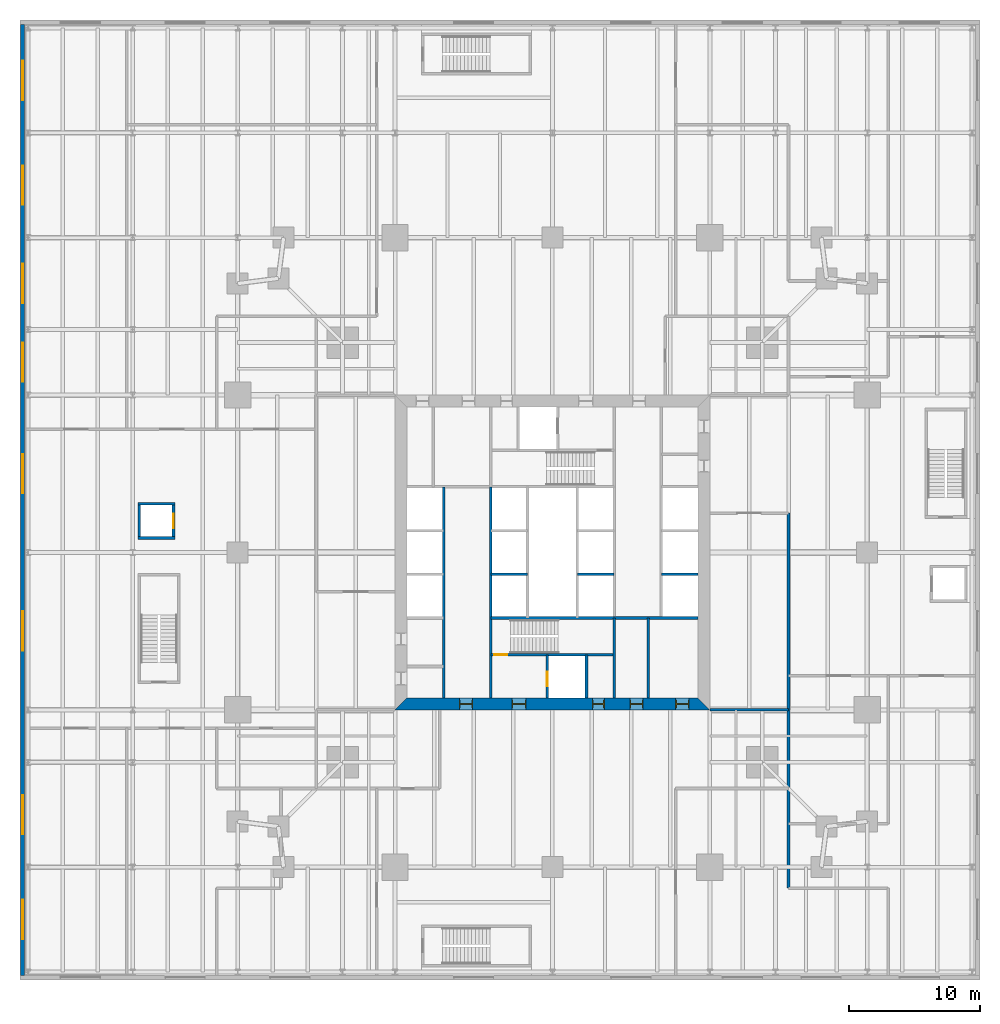
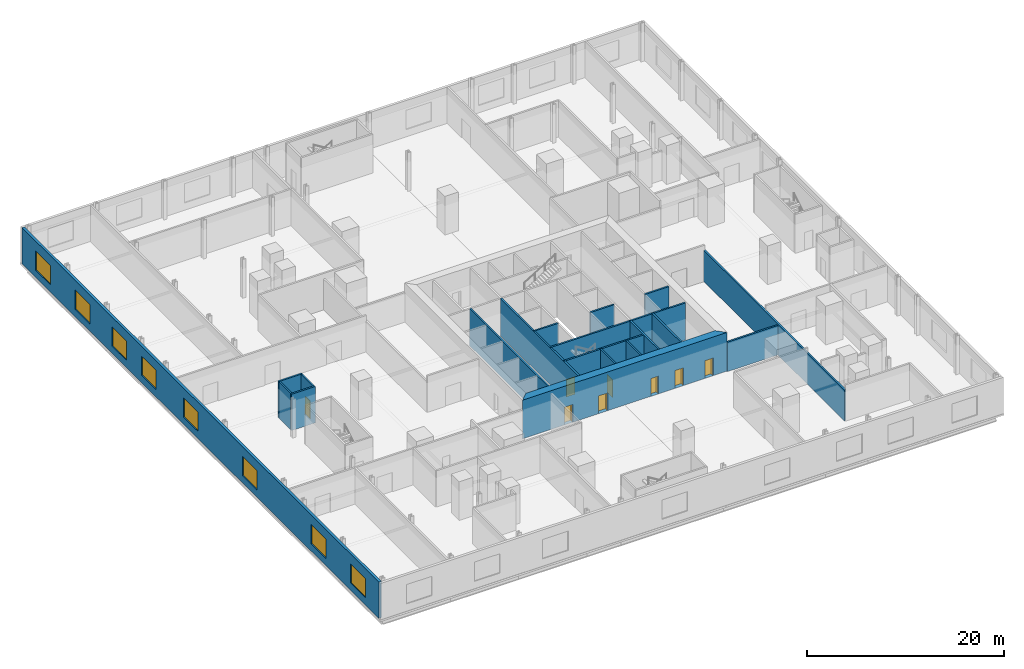
# One storey, part 10 of 16: 19 walls, 8 doors, 8 windows, 16 openings.
"""IFC4 building model written with IfcOpenShell, lengths in metres."""

from ifc_helpers import new_model, si_unit, direction, frame, frame_2d, origin, place, context, subcontext, project, spatial, polyline, rectangle, outline, extrude, material, layer, layer_set, type_object, element, fill, save


model = new_model("IFC4")

# Units and contexts
model_context = context("Model", 3, precision=1e-05, world=origin(), true_north=direction((0.0, 1.0)))
body_context = subcontext(model_context, "Body", "Model", "MODEL_VIEW")
ifc_project = project(units=[si_unit("LENGTHUNIT", "METRE"), si_unit("AREAUNIT", "SQUARE_METRE"), si_unit("VOLUMEUNIT", "CUBIC_METRE"), si_unit("PLANEANGLEUNIT", "RADIAN"), si_unit("MASSUNIT", "GRAM", prefix="KILO")], contexts=[model_context])

# Site, building, storey
site_placement = place(None, origin())
site = spatial("IfcSite", under=ifc_project, at=site_placement, CompositionType="ELEMENT")
building_placement = place(site_placement, origin())
building = spatial("IfcBuilding", under=site, at=building_placement, Name="Fenwick Lantern Interchange", CompositionType="ELEMENT")
storey_placement = place(building_placement, frame((0.0, 0.0, 16.60009765625)))
storey = spatial("IfcBuildingStorey", under=building, at=storey_placement, Name="L03", CompositionType="ELEMENT", Elevation=16.60009765625)

# Walls
ifc_material_1 = material(Name="Concrete masonry ASTM C90 Grade N", Category="masonry")
ifc_layer_1 = layer(ifc_material_1, 0.199951171875)
ifc_layer_set_1 = layer_set([ifc_layer_1], Name="Concrete masonry ASTM C90 Grade N")
wall_type_1 = type_object("IfcWallType", Name="CORE PARTITION 200", PredefinedType="PARTITIONING", material=ifc_layer_set_1)
wall_1_placement = place(storey_placement, frame((16.699951171875, 13.89990234375, 0.0), z_axis=(0.0, 0.0, 1.0), x_axis=(0.0, 1.0, 0.0)))
element("IfcWall", 1, at=wall_1_placement, inside=storey, type_object=wall_type_1, Name="L03/W/CORES/a", PredefinedType="PARTITIONING", context=body_context, shape_type="SweptSolid", body=[
    extrude(rectangle(XDim=16.10009765625, YDim=0.199951171875, at=frame_2d((8.050048828125, 0.0))), origin(), (0.0, 0.0, 1.0), 4.599853515625),
])
wall_2_placement = place(storey_placement, frame((20.300048828125, 23.333251953125, 0.0), z_axis=(0.0, 0.0, 1.0), x_axis=(1.0, 0.0, 0.0)))
element("IfcWall", 2, at=wall_2_placement, inside=storey, type_object=wall_type_1, Name="L03/W/CORES/e1", PredefinedType="PARTITIONING", context=body_context, shape_type="SweptSolid", body=[
    extrude(rectangle(XDim=2.800048828125, YDim=0.199951171875, at=frame_2d((1.39990234375, 0.0))), origin(), (0.0, 0.0, 1.0), 4.599853515625),
])

# Wall, opening, door
wall_3_placement = place(storey_placement, frame((24.60009765625, 13.89990234375, 0.0), z_axis=(0.0, 0.0, 1.0), x_axis=(0.0, 1.0, 0.0)))
wall_3 = element("IfcWall", 3, at=wall_3_placement, inside=storey, type_object=wall_type_1, Name="L03/W/CORES/h1", PredefinedType="PARTITIONING", context=body_context, shape_type="SweptSolid", body=[
    extrude(rectangle(XDim=3.300048828125, YDim=0.199951171875, at=frame_2d((1.64990234375, 0.0))), origin(), (0.0, 0.0, 1.0), 4.599853515625),
])
opening_1_placement = place(wall_3_placement, frame((0.89990234375, 0.0, 0.0)))
opening_1 = element("IfcOpeningElement", 4, at=opening_1_placement, cuts=wall_3, Name="Opening LD-FL1", PredefinedType="OPENING", context=body_context, shape_type="SweptSolid", body=[
    extrude(rectangle(XDim=1.10009765625, YDim=2.199951171875, at=frame_2d((0.550048828125, 1.10009765625))), frame((0.0, 0.10986328125, 0.0), z_axis=(0.0, -1.0, 0.0), x_axis=(1.0, 0.0, 0.0)), (0.0, 0.0, 1.0), 0.219970703125),
])
ifc_material_2 = material(Name="Steel door and frame", Category="steel")
door_type_1 = type_object("IfcDoorType", Name="LIFT LANDING DOOR 1100 X 2200", OperationType="DOUBLE_DOOR_SLIDING", PredefinedType="DOOR", material=ifc_material_2)
door_1_placement = place(opening_1_placement, origin())
door_1 = element("IfcDoor", 5, at=door_1_placement, inside=storey, type_object=door_type_1, Name="Lift landing door FL1", OperationType="DOUBLE_DOOR_SLIDING", OverallHeight=2.199951171875, OverallWidth=1.10009765625, PredefinedType="DOOR", context=body_context, shape_type="SweptSolid", body=[
    extrude(rectangle(XDim=1.10009765625, YDim=2.199951171875, at=frame_2d((0.550048828125, 1.10009765625))), frame((0.0, 0.02490234375, 0.0), z_axis=(0.0, -1.0, 0.0), x_axis=(1.0, 0.0, 0.0)), (0.0, 0.0, 1.0), 0.050048828125),
])
fill(opening_1, door_1)

# Walls
wall_4_placement = place(storey_placement, frame((27.60009765625, 13.89990234375, 0.0), z_axis=(0.0, 0.0, 1.0), x_axis=(0.0, 1.0, 0.0)))
element("IfcWall", 6, at=wall_4_placement, inside=storey, type_object=wall_type_1, Name="L03/W/CORES/h2", PredefinedType="PARTITIONING", context=body_context, shape_type="SweptSolid", body=[
    extrude(rectangle(XDim=3.300048828125, YDim=0.199951171875, at=frame_2d((1.64990234375, 0.0))), origin(), (0.0, 0.0, 1.0), 4.599853515625),
])
wall_5_placement = place(storey_placement, frame((32.300048828125, 13.89990234375, 0.0), z_axis=(0.0, 0.0, 1.0), x_axis=(0.0, 1.0, 0.0)))
element("IfcWall", 7, at=wall_5_placement, inside=storey, type_object=wall_type_1, Name="L03/W/CORES/i2", PredefinedType="PARTITIONING", context=body_context, shape_type="SweptSolid", body=[
    extrude(rectangle(XDim=6.10009765625, YDim=0.199951171875, at=frame_2d((3.050048828125, 0.0))), origin(), (0.0, 0.0, 1.0), 4.599853515625),
])
for number, where, z_axis, x_axis, name in (
    (8, (36.10009765625, 23.333251953125, 0.0), (0.0, 0.0, 1.0), (-1.0, 0.0, 0.0), "L03/W/COREN/d2"),
    (9, (29.699951171875, 23.333251953125, 0.0), (0.0, 0.0, 1.0), (-1.0, 0.0, 0.0), "L03/W/COREN/e2"),
):
    element("IfcWall", number, at=place(storey_placement, frame(where, z_axis=z_axis, x_axis=x_axis)), inside=storey, type_object=wall_type_1, Name=name, PredefinedType="PARTITIONING", context=body_context, shape_type="SweptSolid", body=[
        extrude(rectangle(XDim=2.800048828125, YDim=0.199951171875, at=frame_2d((1.39990234375, 0.0))), origin(), (0.0, 0.0, 1.0), 4.599853515625),
    ])

# Wall, openings, doors
ifc_material_3 = material(Name="Concrete f'c 70 MPa", Category="concrete")
ifc_layer_2 = layer(ifc_material_3, 0.89990234375)
ifc_layer_set_2 = layer_set([ifc_layer_2], Name="CORE WALL 900")
wall_type_2 = type_object("IfcWallType", Name="CORE WALL 900", PredefinedType="SHEAR", material=ifc_layer_set_2)
wall_6_placement = place(storey_placement, frame((13.0, 13.449951171875, 0.0), z_axis=(0.0, 0.0, 1.0), x_axis=(1.0, 0.0, 0.0)))
wall_6 = element("IfcWall", 10, at=wall_6_placement, inside=storey, type_object=wall_type_2, Name="L03/CORE/S", PredefinedType="SHEAR", context=body_context, shape_type="SweptSolid", body=[
    extrude(outline(polyline([(0.0, -0.449951171875), (24.0, -0.449951171875), (23.10009765625, 0.449951171875), (0.89990234375, 0.449951171875), (0.0, -0.449951171875)])), origin(), (0.0, 0.0, 1.0), 4.7998046875),
])
opening_2_placement = place(wall_6_placement, frame((4.89990234375, 0.0, 0.0)))
opening_2 = element("IfcOpeningElement", 11, at=opening_2_placement, cuts=wall_6, Name="Opening L03-D001", PredefinedType="OPENING", context=body_context, shape_type="SweptSolid", body=[
    extrude(rectangle(XDim=1.0, YDim=2.199951171875, at=frame_2d((0.5, 1.10009765625))), frame((0.0, 0.4599609375, 0.0), z_axis=(0.0, -1.0, 0.0), x_axis=(1.0, 0.0, 0.0)), (0.0, 0.0, 1.0), 0.919921875),
])
opening_3_placement = place(wall_6_placement, frame((8.89990234375, 0.0, 0.0)))
opening_3 = element("IfcOpeningElement", 12, at=opening_3_placement, cuts=wall_6, Name="Opening L03-D002", PredefinedType="OPENING", context=body_context, shape_type="SweptSolid", body=[
    extrude(rectangle(XDim=1.10009765625, YDim=2.199951171875, at=frame_2d((0.550048828125, 1.10009765625))), frame((0.0, 0.4599609375, 0.0), z_axis=(0.0, -1.0, 0.0), x_axis=(1.0, 0.0, 0.0)), (0.0, 0.0, 1.0), 0.919921875),
])
opening_4_placement = place(wall_6_placement, frame((15.050048828125, 0.0, 0.0)))
opening_4 = element("IfcOpeningElement", 13, at=opening_4_placement, cuts=wall_6, Name="Opening L03-D004", PredefinedType="OPENING", context=body_context, shape_type="SweptSolid", body=[
    extrude(rectangle(XDim=0.89990234375, YDim=2.199951171875, at=frame_2d((0.449951171875, 1.10009765625))), frame((0.0, 0.4599609375, 0.0), z_axis=(0.0, -1.0, 0.0), x_axis=(1.0, 0.0, 0.0)), (0.0, 0.0, 1.0), 0.919921875),
])
opening_5_placement = place(wall_6_placement, frame((17.89990234375, 0.0, 0.0)))
opening_5 = element("IfcOpeningElement", 14, at=opening_5_placement, cuts=wall_6, Name="Opening L03-D005", PredefinedType="OPENING", context=body_context, shape_type="SweptSolid", body=[
    extrude(rectangle(XDim=1.0, YDim=2.199951171875, at=frame_2d((0.5, 1.10009765625))), frame((0.0, 0.4599609375, 0.0), z_axis=(0.0, -1.0, 0.0), x_axis=(1.0, 0.0, 0.0)), (0.0, 0.0, 1.0), 0.919921875),
])
opening_6_placement = place(wall_6_placement, frame((21.39990234375, 0.0, 0.0)))
opening_6 = element("IfcOpeningElement", 15, at=opening_6_placement, cuts=wall_6, Name="Opening L03-D006", PredefinedType="OPENING", context=body_context, shape_type="SweptSolid", body=[
    extrude(rectangle(XDim=1.0, YDim=2.199951171875, at=frame_2d((0.5, 1.10009765625))), frame((0.0, 0.4599609375, 0.0), z_axis=(0.0, -1.0, 0.0), x_axis=(1.0, 0.0, 0.0)), (0.0, 0.0, 1.0), 0.919921875),
])
door_type_2 = type_object("IfcDoorType", Name="CORE LOBBY DOOR 1000 X 2200", OperationType="SINGLE_SWING_LEFT", PredefinedType="DOOR", material=ifc_material_2)
door_2_placement = place(opening_2_placement, origin())
door_2 = element("IfcDoor", 16, at=door_2_placement, inside=storey, type_object=door_type_2, Name="Core lobby door", OperationType="SINGLE_SWING_LEFT", OverallHeight=2.199951171875, OverallWidth=1.0, PredefinedType="DOOR", context=body_context, shape_type="SweptSolid", body=[
    extrude(rectangle(XDim=1.0, YDim=2.199951171875, at=frame_2d((0.5, 1.10009765625))), frame((0.0, 0.02490234375, 0.0), z_axis=(0.0, -1.0, 0.0), x_axis=(1.0, 0.0, 0.0)), (0.0, 0.0, 1.0), 0.050048828125),
    extrude(outline(polyline([(0.0, 0.0), (0.0400390625, 0.0), (0.0400390625, 2.159912109375), (0.9599609375, 2.159912109375), (0.9599609375, 0.0), (1.0, 0.0), (1.0, 2.199951171875), (0.0, 2.199951171875), (0.0, 0.0)])), frame((0.0, 0.300048828125, 0.0), z_axis=(0.0, -1.0, 0.0), x_axis=(1.0, 0.0, 0.0)), (0.0, 0.0, 1.0), 0.60009765625),
])
fill(opening_2, door_2)
door_type_3 = type_object("IfcDoorType", Name="FIRE LOBBY DOOR 1100 X 2200", OperationType="SINGLE_SWING_LEFT", PredefinedType="DOOR", material=ifc_material_2)
door_3_placement = place(opening_3_placement, origin())
door_3 = element("IfcDoor", 17, at=door_3_placement, inside=storey, type_object=door_type_3, Name="Fire lobby door", OperationType="SINGLE_SWING_LEFT", OverallHeight=2.199951171875, OverallWidth=1.10009765625, PredefinedType="DOOR", context=body_context, shape_type="SweptSolid", body=[
    extrude(rectangle(XDim=1.10009765625, YDim=2.199951171875, at=frame_2d((0.550048828125, 1.10009765625))), frame((0.0, 0.02490234375, 0.0), z_axis=(0.0, -1.0, 0.0), x_axis=(1.0, 0.0, 0.0)), (0.0, 0.0, 1.0), 0.050048828125),
    extrude(outline(polyline([(0.0, 0.0), (0.0400390625, 0.0), (0.0400390625, 2.159912109375), (1.06005859375, 2.159912109375), (1.06005859375, 0.0), (1.10009765625, 0.0), (1.10009765625, 2.199951171875), (0.0, 2.199951171875), (0.0, 0.0)])), frame((0.0, 0.300048828125, 0.0), z_axis=(0.0, -1.0, 0.0), x_axis=(1.0, 0.0, 0.0)), (0.0, 0.0, 1.0), 0.60009765625),
])
fill(opening_3, door_3)
door_type_4 = type_object("IfcDoorType", Name="SERVICE DOOR 900 X 2200", OperationType="SINGLE_SWING_LEFT", PredefinedType="DOOR", material=ifc_material_2)
door_4_placement = place(opening_4_placement, origin())
door_4 = element("IfcDoor", 18, at=door_4_placement, inside=storey, type_object=door_type_4, Name="Service door", OperationType="SINGLE_SWING_LEFT", OverallHeight=2.199951171875, OverallWidth=0.89990234375, PredefinedType="DOOR", context=body_context, shape_type="SweptSolid", body=[
    extrude(rectangle(XDim=0.89990234375, YDim=2.199951171875, at=frame_2d((0.449951171875, 1.10009765625))), frame((0.0, 0.02490234375, 0.0), z_axis=(0.0, -1.0, 0.0), x_axis=(1.0, 0.0, 0.0)), (0.0, 0.0, 1.0), 0.050048828125),
    extrude(outline(polyline([(0.0, 0.0), (0.0400390625, 0.0), (0.0400390625, 2.159912109375), (0.85986328125, 2.159912109375), (0.85986328125, 0.0), (0.89990234375, 0.0), (0.89990234375, 2.199951171875), (0.0, 2.199951171875), (0.0, 0.0)])), frame((0.0, 0.300048828125, 0.0), z_axis=(0.0, -1.0, 0.0), x_axis=(1.0, 0.0, 0.0)), (0.0, 0.0, 1.0), 0.60009765625),
])
fill(opening_4, door_4)
ifc_material_4 = material(Name="Hardwood door and steel frame", Category="steel")
door_type_5 = type_object("IfcDoorType", Name="WC DOOR 1000 X 2200", OperationType="SINGLE_SWING_LEFT", PredefinedType="DOOR", material=ifc_material_4)
door_5_placement = place(opening_5_placement, origin())
door_5 = element("IfcDoor", 19, at=door_5_placement, inside=storey, type_object=door_type_5, Name="Wc door", OperationType="SINGLE_SWING_RIGHT", OverallHeight=2.199951171875, OverallWidth=1.0, PredefinedType="DOOR", context=body_context, shape_type="SweptSolid", body=[
    extrude(rectangle(XDim=1.0, YDim=2.199951171875, at=frame_2d((0.5, 1.10009765625))), frame((0.0, 0.02490234375, 0.0), z_axis=(0.0, -1.0, 0.0), x_axis=(1.0, 0.0, 0.0)), (0.0, 0.0, 1.0), 0.050048828125),
    extrude(outline(polyline([(0.0, 0.0), (0.0400390625, 0.0), (0.0400390625, 2.159912109375), (0.9599609375, 2.159912109375), (0.9599609375, 0.0), (1.0, 0.0), (1.0, 2.199951171875), (0.0, 2.199951171875), (0.0, 0.0)])), frame((0.0, 0.300048828125, 0.0), z_axis=(0.0, -1.0, 0.0), x_axis=(1.0, 0.0, 0.0)), (0.0, 0.0, 1.0), 0.60009765625),
])
fill(opening_5, door_5)
door_6_placement = place(opening_6_placement, origin())
door_6 = element("IfcDoor", 20, at=door_6_placement, inside=storey, type_object=door_type_5, Name="Wc door", OperationType="SINGLE_SWING_RIGHT", OverallHeight=2.199951171875, OverallWidth=1.0, PredefinedType="DOOR", context=body_context, shape_type="SweptSolid", body=[
    extrude(rectangle(XDim=1.0, YDim=2.199951171875, at=frame_2d((0.5, 1.10009765625))), frame((0.0, 0.02490234375, 0.0), z_axis=(0.0, -1.0, 0.0), x_axis=(1.0, 0.0, 0.0)), (0.0, 0.0, 1.0), 0.050048828125),
    extrude(outline(polyline([(0.0, 0.0), (0.0400390625, 0.0), (0.0400390625, 2.159912109375), (0.9599609375, 2.159912109375), (0.9599609375, 0.0), (1.0, 0.0), (1.0, 2.199951171875), (0.0, 2.199951171875), (0.0, 0.0)])), frame((0.0, 0.300048828125, 0.0), z_axis=(0.0, -1.0, 0.0), x_axis=(1.0, 0.0, 0.0)), (0.0, 0.0, 1.0), 0.60009765625),
])
fill(opening_6, door_6)

# Wall
ifc_layer_3 = layer(ifc_material_1, 0.199951171875)
ifc_layer_set_3 = layer_set([ifc_layer_3], Name="Concrete masonry ASTM C90 Grade N")
wall_type_3 = type_object("IfcWallType", Name="LIFT SHAFT WALL 200", PredefinedType="PARTITIONING", material=ifc_layer_set_3)
wall_7_placement = place(storey_placement, frame((-6.60009765625, 26.10009765625, 0.0), z_axis=(0.0, 0.0, 1.0), x_axis=(1.0, 0.0, 0.0)))
element("IfcWall", 21, at=wall_7_placement, inside=storey, type_object=wall_type_3, Name="L03/W/PL1/S", PredefinedType="PARTITIONING", context=body_context, shape_type="SweptSolid", body=[
    extrude(rectangle(XDim=2.800048828125, YDim=0.199951171875, at=frame_2d((1.39990234375, 0.0))), origin(), (0.0, 0.0, 1.0), 4.5),
])

# Wall, opening, door
wall_8_placement = place(storey_placement, frame((-3.89990234375, 26.199951171875, 0.0), z_axis=(0.0, 0.0, 1.0), x_axis=(0.0, 1.0, 0.0)))
wall_8 = element("IfcWall", 22, at=wall_8_placement, inside=storey, type_object=wall_type_3, Name="L03/W/PL1/E", PredefinedType="PARTITIONING", context=body_context, shape_type="SweptSolid", body=[
    extrude(rectangle(XDim=2.400146484375, YDim=0.199951171875, at=frame_2d((1.2001953125, 0.0))), origin(), (0.0, 0.0, 1.0), 4.5),
])
opening_7_placement = place(wall_8_placement, frame((0.64990234375, 0.0, 0.0)))
opening_7 = element("IfcOpeningElement", 23, at=opening_7_placement, cuts=wall_8, Name="Opening LD-PL1", PredefinedType="OPENING", context=body_context, shape_type="SweptSolid", body=[
    extrude(rectangle(XDim=1.10009765625, YDim=2.199951171875, at=frame_2d((0.550048828125, 1.10009765625))), frame((0.0, 0.10986328125, 0.0), z_axis=(0.0, -1.0, 0.0), x_axis=(1.0, 0.0, 0.0)), (0.0, 0.0, 1.0), 0.219970703125),
])
door_7_placement = place(opening_7_placement, origin())
door_7 = element("IfcDoor", 24, at=door_7_placement, inside=storey, type_object=door_type_1, Name="Lift landing door PL1", OperationType="DOUBLE_DOOR_SLIDING", OverallHeight=2.199951171875, OverallWidth=1.10009765625, PredefinedType="DOOR", context=body_context, shape_type="SweptSolid", body=[
    extrude(rectangle(XDim=1.10009765625, YDim=2.199951171875, at=frame_2d((0.550048828125, 1.10009765625))), frame((0.0, 0.02490234375, 0.0), z_axis=(0.0, -1.0, 0.0), x_axis=(1.0, 0.0, 0.0)), (0.0, 0.0, 1.0), 0.050048828125),
])
fill(opening_7, door_7)

# Walls
wall_9_placement = place(storey_placement, frame((-3.800048828125, 28.699951171875, 0.0), z_axis=(0.0, 0.0, 1.0), x_axis=(-1.0, 0.0, 0.0)))
element("IfcWall", 25, at=wall_9_placement, inside=storey, type_object=wall_type_3, Name="L03/W/PL1/N", PredefinedType="PARTITIONING", context=body_context, shape_type="SweptSolid", body=[
    extrude(rectangle(XDim=2.800048828125, YDim=0.199951171875, at=frame_2d((1.39990234375, 0.0))), origin(), (0.0, 0.0, 1.0), 4.5),
])
wall_10_placement = place(storey_placement, frame((-6.5, 28.60009765625, 0.0), z_axis=(0.0, 0.0, 1.0), x_axis=(0.0, -1.0, 0.0)))
element("IfcWall", 26, at=wall_10_placement, inside=storey, type_object=wall_type_3, Name="L03/W/PL1/W", PredefinedType="PARTITIONING", context=body_context, shape_type="SweptSolid", body=[
    extrude(rectangle(XDim=2.400146484375, YDim=0.199951171875, at=frame_2d((1.2001953125, 0.0))), origin(), (0.0, 0.0, 1.0), 4.5),
])

# Wall, openings, windows
ifc_material_5 = material(Name="Limestone ASTM C568 Classification II", Category="masonry")
ifc_layer_4 = layer(ifc_material_5, 0.074951171875)
ifc_material_6 = material(Name="Mineral wool insulation")
ifc_layer_5 = layer(ifc_material_6, 0.125)
ifc_material_7 = material(Name="Cold-formed galvanised steel studs", Category="steel")
ifc_layer_6 = layer(ifc_material_7, 0.10009765625)
ifc_layer_set_4 = layer_set([ifc_layer_4, ifc_layer_5, ifc_layer_6], Name="Limestone ASTM C568 Classification II")
wall_type_4 = type_object("IfcWallType", Name="LIMESTONE RAINSCREEN WALL 300", PredefinedType="SOLIDWALL", material=ifc_layer_set_4)
wall_11_placement = place(storey_placement, frame((-15.39990234375, 65.25, 0.0), z_axis=(0.0, 0.0, 1.0), x_axis=(0.0, -1.0, 0.0)))
wall_11 = element("IfcWall", 27, at=wall_11_placement, inside=storey, type_object=wall_type_4, Name="L03/EW/W", PredefinedType="SOLIDWALL", context=body_context, shape_type="SweptSolid", body=[
    extrude(rectangle(XDim=72.5, YDim=0.300048828125, at=frame_2d((36.25, 0.0))), origin(), (0.0, 0.0, 1.0), 4.5),
])
opening_8_placement = place(wall_11_placement, frame((66.75, 0.0, 0.89990234375)))
opening_8 = element("IfcOpeningElement", 28, at=opening_8_placement, cuts=wall_11, Name="Opening W1", PredefinedType="OPENING", context=body_context, shape_type="SweptSolid", body=[
    extrude(rectangle(XDim=3.0, YDim=2.39990234375, at=frame_2d((1.5, 1.199951171875))), frame((0.0, 0.159912109375, 0.0), z_axis=(0.0, -1.0, 0.0), x_axis=(1.0, 0.0, 0.0)), (0.0, 0.0, 1.0), 0.320068359375),
])
opening_9_placement = place(wall_11_placement, frame((58.75, 0.0, 0.89990234375)))
opening_9 = element("IfcOpeningElement", 29, at=opening_9_placement, cuts=wall_11, Name="Opening W1", PredefinedType="OPENING", context=body_context, shape_type="SweptSolid", body=[
    extrude(rectangle(XDim=3.0, YDim=2.39990234375, at=frame_2d((1.5, 1.199951171875))), frame((0.0, 0.159912109375, 0.0), z_axis=(0.0, -1.0, 0.0), x_axis=(1.0, 0.0, 0.0)), (0.0, 0.0, 1.0), 0.320068359375),
])
opening_10_placement = place(wall_11_placement, frame((44.75, 0.0, 0.89990234375)))
opening_10 = element("IfcOpeningElement", 30, at=opening_10_placement, cuts=wall_11, Name="Opening W1", PredefinedType="OPENING", context=body_context, shape_type="SweptSolid", body=[
    extrude(rectangle(XDim=3.0, YDim=2.39990234375, at=frame_2d((1.5, 1.199951171875))), frame((0.0, 0.159912109375, 0.0), z_axis=(0.0, -1.0, 0.0), x_axis=(1.0, 0.0, 0.0)), (0.0, 0.0, 1.0), 0.320068359375),
])
opening_11_placement = place(wall_11_placement, frame((32.75, 0.0, 0.89990234375)))
opening_11 = element("IfcOpeningElement", 31, at=opening_11_placement, cuts=wall_11, Name="Opening W1", PredefinedType="OPENING", context=body_context, shape_type="SweptSolid", body=[
    extrude(rectangle(XDim=3.0, YDim=2.39990234375, at=frame_2d((1.5, 1.199951171875))), frame((0.0, 0.159912109375, 0.0), z_axis=(0.0, -1.0, 0.0), x_axis=(1.0, 0.0, 0.0)), (0.0, 0.0, 1.0), 0.320068359375),
])
opening_12_placement = place(wall_11_placement, frame((24.25, 0.0, 0.89990234375)))
opening_12 = element("IfcOpeningElement", 32, at=opening_12_placement, cuts=wall_11, Name="Opening W1", PredefinedType="OPENING", context=body_context, shape_type="SweptSolid", body=[
    extrude(rectangle(XDim=3.0, YDim=2.39990234375, at=frame_2d((1.5, 1.199951171875))), frame((0.0, 0.159912109375, 0.0), z_axis=(0.0, -1.0, 0.0), x_axis=(1.0, 0.0, 0.0)), (0.0, 0.0, 1.0), 0.320068359375),
])
opening_13_placement = place(wall_11_placement, frame((18.25, 0.0, 0.89990234375)))
opening_13 = element("IfcOpeningElement", 33, at=opening_13_placement, cuts=wall_11, Name="Opening W1", PredefinedType="OPENING", context=body_context, shape_type="SweptSolid", body=[
    extrude(rectangle(XDim=3.0, YDim=2.39990234375, at=frame_2d((1.5, 1.199951171875))), frame((0.0, 0.159912109375, 0.0), z_axis=(0.0, -1.0, 0.0), x_axis=(1.0, 0.0, 0.0)), (0.0, 0.0, 1.0), 0.320068359375),
])
opening_14_placement = place(wall_11_placement, frame((10.75, 0.0, 0.89990234375)))
opening_14 = element("IfcOpeningElement", 34, at=opening_14_placement, cuts=wall_11, Name="Opening W1", PredefinedType="OPENING", context=body_context, shape_type="SweptSolid", body=[
    extrude(rectangle(XDim=3.0, YDim=2.39990234375, at=frame_2d((1.5, 1.199951171875))), frame((0.0, 0.159912109375, 0.0), z_axis=(0.0, -1.0, 0.0), x_axis=(1.0, 0.0, 0.0)), (0.0, 0.0, 1.0), 0.320068359375),
])
opening_15_placement = place(wall_11_placement, frame((2.75, 0.0, 0.89990234375)))
opening_15 = element("IfcOpeningElement", 35, at=opening_15_placement, cuts=wall_11, Name="Opening W1", PredefinedType="OPENING", context=body_context, shape_type="SweptSolid", body=[
    extrude(rectangle(XDim=3.0, YDim=2.39990234375, at=frame_2d((1.5, 1.199951171875))), frame((0.0, 0.159912109375, 0.0), z_axis=(0.0, -1.0, 0.0), x_axis=(1.0, 0.0, 0.0)), (0.0, 0.0, 1.0), 0.320068359375),
])
ifc_material_8 = material(Name="Aluminium window, clear glass", Category="aluminium")
window_type = type_object("IfcWindowType", Name="PODIUM WINDOW 3000 X 2400", PartitioningType="SINGLE_PANEL", PredefinedType="WINDOW", material=ifc_material_8)
window_1_placement = place(opening_8_placement, origin())
window_1 = element("IfcWindow", 36, at=window_1_placement, inside=storey, type_object=window_type, Name="Podium window", OverallHeight=2.39990234375, OverallWidth=3.0, PartitioningType="SINGLE_PANEL", PredefinedType="WINDOW", context=body_context, shape_type="SweptSolid", body=[
    extrude(rectangle(XDim=3.0, YDim=2.39990234375, at=frame_2d((1.5, 1.199951171875))), frame((0.0, 0.030029296875, 0.0), z_axis=(0.0, -1.0, 0.0), x_axis=(1.0, 0.0, 0.0)), (0.0, 0.0, 1.0), 0.06005859375),
])
fill(opening_8, window_1)
window_2_placement = place(opening_9_placement, origin())
window_2 = element("IfcWindow", 37, at=window_2_placement, inside=storey, type_object=window_type, Name="Podium window", OverallHeight=2.39990234375, OverallWidth=3.0, PartitioningType="SINGLE_PANEL", PredefinedType="WINDOW", context=body_context, shape_type="SweptSolid", body=[
    extrude(rectangle(XDim=3.0, YDim=2.39990234375, at=frame_2d((1.5, 1.199951171875))), frame((0.0, 0.030029296875, 0.0), z_axis=(0.0, -1.0, 0.0), x_axis=(1.0, 0.0, 0.0)), (0.0, 0.0, 1.0), 0.06005859375),
])
fill(opening_9, window_2)
window_3_placement = place(opening_10_placement, origin())
window_3 = element("IfcWindow", 38, at=window_3_placement, inside=storey, type_object=window_type, Name="Podium window", OverallHeight=2.39990234375, OverallWidth=3.0, PartitioningType="SINGLE_PANEL", PredefinedType="WINDOW", context=body_context, shape_type="SweptSolid", body=[
    extrude(rectangle(XDim=3.0, YDim=2.39990234375, at=frame_2d((1.5, 1.199951171875))), frame((0.0, 0.030029296875, 0.0), z_axis=(0.0, -1.0, 0.0), x_axis=(1.0, 0.0, 0.0)), (0.0, 0.0, 1.0), 0.06005859375),
])
fill(opening_10, window_3)
window_4_placement = place(opening_11_placement, origin())
window_4 = element("IfcWindow", 39, at=window_4_placement, inside=storey, type_object=window_type, Name="Podium window", OverallHeight=2.39990234375, OverallWidth=3.0, PartitioningType="SINGLE_PANEL", PredefinedType="WINDOW", context=body_context, shape_type="SweptSolid", body=[
    extrude(rectangle(XDim=3.0, YDim=2.39990234375, at=frame_2d((1.5, 1.199951171875))), frame((0.0, 0.030029296875, 0.0), z_axis=(0.0, -1.0, 0.0), x_axis=(1.0, 0.0, 0.0)), (0.0, 0.0, 1.0), 0.06005859375),
])
fill(opening_11, window_4)
window_5_placement = place(opening_12_placement, origin())
window_5 = element("IfcWindow", 40, at=window_5_placement, inside=storey, type_object=window_type, Name="Podium window", OverallHeight=2.39990234375, OverallWidth=3.0, PartitioningType="SINGLE_PANEL", PredefinedType="WINDOW", context=body_context, shape_type="SweptSolid", body=[
    extrude(rectangle(XDim=3.0, YDim=2.39990234375, at=frame_2d((1.5, 1.199951171875))), frame((0.0, 0.030029296875, 0.0), z_axis=(0.0, -1.0, 0.0), x_axis=(1.0, 0.0, 0.0)), (0.0, 0.0, 1.0), 0.06005859375),
])
fill(opening_12, window_5)
window_6_placement = place(opening_13_placement, origin())
window_6 = element("IfcWindow", 41, at=window_6_placement, inside=storey, type_object=window_type, Name="Podium window", OverallHeight=2.39990234375, OverallWidth=3.0, PartitioningType="SINGLE_PANEL", PredefinedType="WINDOW", context=body_context, shape_type="SweptSolid", body=[
    extrude(rectangle(XDim=3.0, YDim=2.39990234375, at=frame_2d((1.5, 1.199951171875))), frame((0.0, 0.030029296875, 0.0), z_axis=(0.0, -1.0, 0.0), x_axis=(1.0, 0.0, 0.0)), (0.0, 0.0, 1.0), 0.06005859375),
])
fill(opening_13, window_6)
window_7_placement = place(opening_14_placement, origin())
window_7 = element("IfcWindow", 42, at=window_7_placement, inside=storey, type_object=window_type, Name="Podium window", OverallHeight=2.39990234375, OverallWidth=3.0, PartitioningType="SINGLE_PANEL", PredefinedType="WINDOW", context=body_context, shape_type="SweptSolid", body=[
    extrude(rectangle(XDim=3.0, YDim=2.39990234375, at=frame_2d((1.5, 1.199951171875))), frame((0.0, 0.030029296875, 0.0), z_axis=(0.0, -1.0, 0.0), x_axis=(1.0, 0.0, 0.0)), (0.0, 0.0, 1.0), 0.06005859375),
])
fill(opening_14, window_7)
window_8_placement = place(opening_15_placement, origin())
window_8 = element("IfcWindow", 43, at=window_8_placement, inside=storey, type_object=window_type, Name="Podium window", OverallHeight=2.39990234375, OverallWidth=3.0, PartitioningType="SINGLE_PANEL", PredefinedType="WINDOW", context=body_context, shape_type="SweptSolid", body=[
    extrude(rectangle(XDim=3.0, YDim=2.39990234375, at=frame_2d((1.5, 1.199951171875))), frame((0.0, 0.030029296875, 0.0), z_axis=(0.0, -1.0, 0.0), x_axis=(1.0, 0.0, 0.0)), (0.0, 0.0, 1.0), 0.06005859375),
])
fill(opening_15, window_8)

# Walls
ifc_material_9 = material(Name="Gypsum board on steel studs, 1 hour", Category="steel")
ifc_layer_7 = layer(ifc_material_9, 0.199951171875)
ifc_layer_set_5 = layer_set([ifc_layer_7], Name="ROOM WALL 200")
wall_type_5 = type_object("IfcWallType", Name="ROOM WALL 200", PredefinedType="PARTITIONING", material=ifc_layer_set_5)
wall_12_placement = place(storey_placement, frame((43.0, -0.60009765625, 0.0), z_axis=(0.0, 0.0, 1.0), x_axis=(0.0, 1.0, 0.0)))
element("IfcWall", 44, at=wall_12_placement, inside=storey, type_object=wall_type_5, Name="L03/W/POD/X43-1", PredefinedType="PARTITIONING", context=body_context, shape_type="SweptSolid", body=[
    extrude(rectangle(XDim=28.60009765625, YDim=0.199951171875, at=frame_2d((14.300048828125, 0.0))), origin(), (0.0, 0.0, 1.0), 3.843017578125),
])
wall_13_placement = place(storey_placement, frame((37.0, 13.0, 0.0), z_axis=(0.0, 0.0, 1.0), x_axis=(1.0, 0.0, 0.0)))
element("IfcWall", 45, at=wall_13_placement, inside=storey, type_object=wall_type_5, Name="L03/W/POD/Y13-2", PredefinedType="PARTITIONING", context=body_context, shape_type="SweptSolid", body=[
    extrude(rectangle(XDim=6.0, YDim=0.199951171875, at=frame_2d((3.0, 0.0))), origin(), (0.0, 0.0, 1.0), 3.652587890625),
])
ifc_material_10 = material(Name="Concrete f'c 45 MPa", Category="concrete")
ifc_layer_8 = layer(ifc_material_10, 0.199951171875)
ifc_layer_set_6 = layer_set([ifc_layer_8], Name="STAIR CORE WALL 200")
wall_type_6 = type_object("IfcWallType", Name="STAIR CORE WALL 200", PredefinedType="SOLIDWALL", material=ifc_layer_set_6)
wall_14_placement = place(storey_placement, frame((20.300048828125, 13.89990234375, 0.0), z_axis=(0.0, 0.0, 1.0), x_axis=(0.0, 1.0, 0.0)))
element("IfcWall", 46, at=wall_14_placement, inside=storey, type_object=wall_type_6, Name="L03/W/CORES/b", PredefinedType="SOLIDWALL", context=body_context, shape_type="SweptSolid", body=[
    extrude(rectangle(XDim=16.10009765625, YDim=0.199951171875, at=frame_2d((8.050048828125, 0.0))), origin(), (0.0, 0.0, 1.0), 4.599853515625),
])

# Wall, opening, door
wall_15_placement = place(storey_placement, frame((20.300048828125, 17.199951171875, 0.0), z_axis=(0.0, 0.0, 1.0), x_axis=(1.0, 0.0, 0.0)))
wall_15 = element("IfcWall", 47, at=wall_15_placement, inside=storey, type_object=wall_type_6, Name="L03/W/CORES/g1", PredefinedType="SOLIDWALL", context=body_context, shape_type="SweptSolid", body=[
    extrude(rectangle(XDim=9.39990234375, YDim=0.199951171875, at=frame_2d((4.699951171875, 0.0))), origin(), (0.0, 0.0, 1.0), 4.599853515625),
])
opening_16_placement = place(wall_15_placement, frame((0.25, 0.0, 0.0)))
opening_16 = element("IfcOpeningElement", 48, at=opening_16_placement, cuts=wall_15, Name="Opening L03-D003", PredefinedType="OPENING", context=body_context, shape_type="SweptSolid", body=[
    extrude(rectangle(XDim=1.0, YDim=2.199951171875, at=frame_2d((0.5, 1.10009765625))), frame((0.0, 0.10986328125, 0.0), z_axis=(0.0, -1.0, 0.0), x_axis=(1.0, 0.0, 0.0)), (0.0, 0.0, 1.0), 0.219970703125),
])
door_type_6 = type_object("IfcDoorType", Name="STAIR DOOR 1000 X 2200", OperationType="SINGLE_SWING_LEFT", PredefinedType="DOOR", material=ifc_material_2)
door_8_placement = place(opening_16_placement, origin())
door_8 = element("IfcDoor", 49, at=door_8_placement, inside=storey, type_object=door_type_6, Name="Stair door", OperationType="SINGLE_SWING_LEFT", OverallHeight=2.199951171875, OverallWidth=1.0, PredefinedType="DOOR", context=body_context, shape_type="SweptSolid", body=[
    extrude(rectangle(XDim=1.0, YDim=2.199951171875, at=frame_2d((0.5, 1.10009765625))), frame((0.0, 0.02490234375, 0.0), z_axis=(0.0, -1.0, 0.0), x_axis=(1.0, 0.0, 0.0)), (0.0, 0.0, 1.0), 0.050048828125),
])
fill(opening_16, door_8)

# Walls
wall_16_placement = place(storey_placement, frame((20.300048828125, 20.0, 0.0), z_axis=(0.0, 0.0, 1.0), x_axis=(1.0, 0.0, 0.0)))
element("IfcWall", 50, at=wall_16_placement, inside=storey, type_object=wall_type_6, Name="L03/W/CORES/g2", PredefinedType="SOLIDWALL", context=body_context, shape_type="SweptSolid", body=[
    extrude(rectangle(XDim=15.800048828125, YDim=0.199951171875, at=frame_2d((7.89990234375, 0.0))), origin(), (0.0, 0.0, 1.0), 4.599853515625),
])
wall_17_placement = place(storey_placement, frame((29.699951171875, 13.89990234375, 0.0), z_axis=(0.0, 0.0, 1.0), x_axis=(0.0, 1.0, 0.0)))
element("IfcWall", 51, at=wall_17_placement, inside=storey, type_object=wall_type_6, Name="L03/W/CORES/i1", PredefinedType="SOLIDWALL", context=body_context, shape_type="SweptSolid", body=[
    extrude(rectangle(XDim=6.10009765625, YDim=0.199951171875, at=frame_2d((3.050048828125, 0.0))), origin(), (0.0, 0.0, 1.0), 4.599853515625),
])

save(model, "model.ifc")
